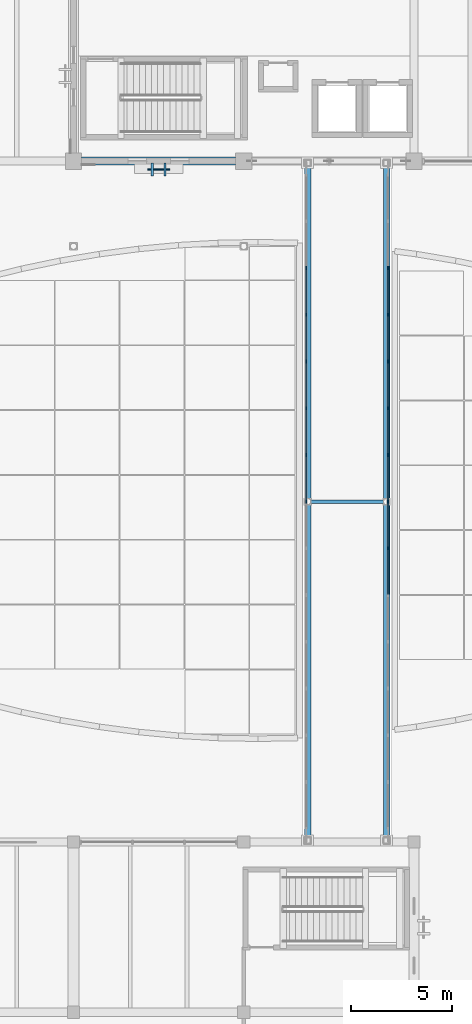
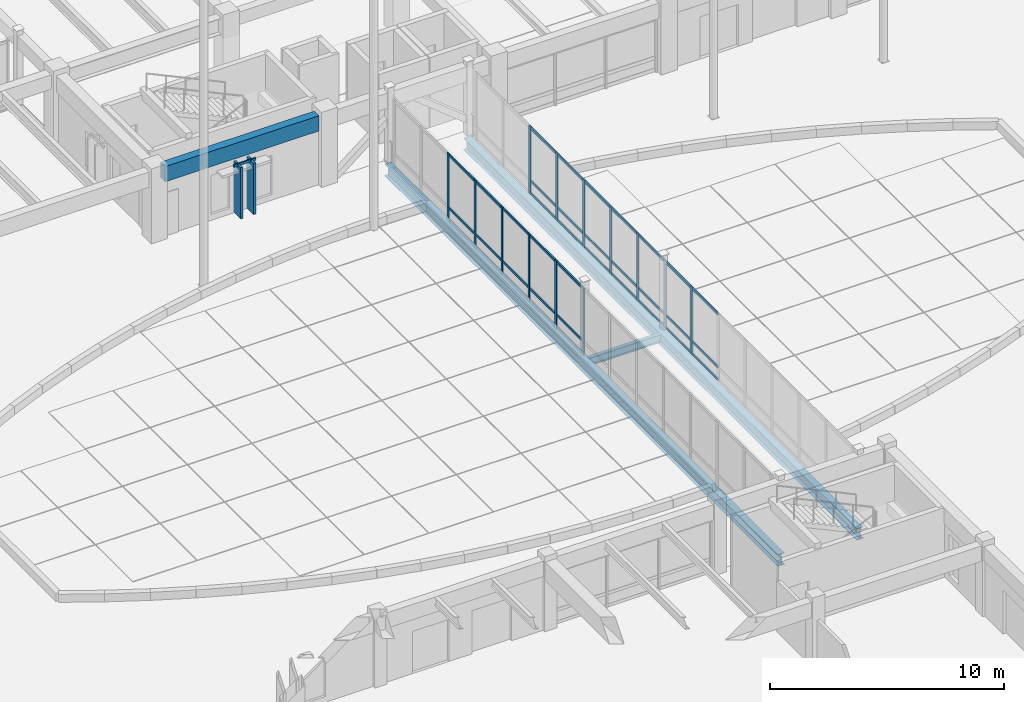
# One storey, part 44 of 135: 52 members, 4 beams, 3 elements without a shape of their own.
"""IFC4 building model written with IfcOpenShell, lengths in metres."""

import ifcopenshell
import ifcopenshell.guid

model = None  # the IFC model being written
_history = None  # IfcOwnerHistory: only IFC2X3 demands one
_inside = {}  # id of a spatial element -> (the spatial element, [elements in it])
_under = {}  # id of a project, library or spatial element -> (it, [spatial elements below it])
_declared = {}  # id of a project -> (the project, [libraries it declares])
_typed = {}  # id of a type object -> (the type object, [elements of that type])
_made_of = {}  # id of a material, layer set ... -> (it, [elements and type objects made of it])


def new_model(schema):
    """Start an empty IFC model of exactly this schema.

    Asked for "IFC4X3", IfcOpenShell would pick the latest addendum, in which some entities
    have other attributes; the version numbers below select the first issue.
    IFC2X3 requires an IfcOwnerHistory on every rooted entity: one is made here for all.
    """
    global model, _history
    if schema == "IFC4X3":
        model = ifcopenshell.file(schema_version=(4, 3, 0, 0))
    else:
        model = ifcopenshell.file(schema=schema)
    _inside.clear()
    _under.clear()
    _declared.clear()
    _typed.clear()
    _made_of.clear()
    _history = None
    if model.schema == "IFC2X3":
        org = make("IfcOrganization", Name="unknown")
        user = make(
            "IfcPersonAndOrganization",
            ThePerson=make("IfcPerson", FamilyName="unknown"),
            TheOrganization=org,
        )
        app = make(
            "IfcApplication",
            ApplicationDeveloper=org,
            Version="unknown",
            ApplicationFullName="unknown",
            ApplicationIdentifier="unknown",
        )
        _history = make(
            "IfcOwnerHistory",
            OwningUser=user,
            OwningApplication=app,
            ChangeAction="ADDED",
            CreationDate=0,
        )
    return model


def make(cls, **values):
    """One entity of the class cls with the attributes given. An attribute that is None is left unset."""
    return model.create_entity(
        cls, **{name: value for name, value in values.items() if value is not None}
    )


def rooted(cls, **values):
    """An entity with a GlobalId (a new one), such as an element, a storey or a relation."""
    return make(cls, GlobalId=ifcopenshell.guid.new(), OwnerHistory=_history, **values)


def si_unit(unit_type, name, prefix=None):
    """IfcSIUnit, for example si_unit("LENGTHUNIT", "METRE", prefix="MILLI")."""
    return make("IfcSIUnit", UnitType=unit_type, Prefix=prefix, Name=name)


def assignment(units):
    """IfcUnitAssignment: the units of a project."""
    return None if units is None else make("IfcUnitAssignment", Units=units)


def point(xyz):
    """IfcCartesianPoint."""
    return None if xyz is None else make("IfcCartesianPoint", Coordinates=xyz)


def direction(xyz):
    """IfcDirection."""
    return None if xyz is None else make("IfcDirection", DirectionRatios=xyz)


def frame(location, z_axis=None, x_axis=None):
    """IfcAxis2Placement3D, a coordinate frame: its origin and axes. An axis left out is left unset."""
    return make(
        "IfcAxis2Placement3D",
        Location=point(location),
        Axis=direction(z_axis),
        RefDirection=direction(x_axis),
    )


def frame_2d(location, x_axis=None):
    """IfcAxis2Placement2D, a coordinate frame in the plane: its origin and x axis."""
    return make(
        "IfcAxis2Placement2D", Location=point(location), RefDirection=direction(x_axis)
    )


def origin():
    """The frame at (0, 0, 0) with its axes left unset."""
    return frame((0.0, 0.0, 0.0))


def origin_2d():
    """The frame at (0, 0) in the plane with its x axis left unset."""
    return frame_2d((0.0, 0.0))


def place(relative_to, where):
    """IfcLocalPlacement: puts the frame where relative to a parent placement (None: the world)."""
    return make(
        "IfcLocalPlacement", PlacementRelTo=relative_to, RelativePlacement=where
    )


def context(
    kind, dimensions, precision=None, world=None, true_north=None, identifier=None
):
    """IfcGeometricRepresentationContext, for example the 3D "Model" context."""
    return make(
        "IfcGeometricRepresentationContext",
        ContextIdentifier=identifier,
        ContextType=kind,
        CoordinateSpaceDimension=dimensions,
        Precision=precision,
        WorldCoordinateSystem=world,
        TrueNorth=true_north,
    )


def subcontext(parent, identifier, kind, view, scale=None):
    """IfcGeometricRepresentationSubContext, for example "Body" below "Model"."""
    return make(
        "IfcGeometricRepresentationSubContext",
        ContextIdentifier=identifier,
        ContextType=kind,
        ParentContext=parent,
        TargetScale=scale,
        TargetView=view,
    )


def project(units=None, contexts=None):
    """IfcProject with its units and contexts."""
    return rooted(
        "IfcProject",
        Name="project",
        RepresentationContexts=contexts,
        UnitsInContext=assignment(units),
    )


def spatial(cls, under=None, at=None, **own):
    """A site, building, storey or space (cls), placed at a placement, below another one or the project."""
    s = rooted(cls, ObjectPlacement=at, **own)
    if under is not None:
        _under.setdefault(under.id(), (under, []))[1].append(s)
    return s


def profile(cls, at=None, kind="AREA", **sizes):
    """A parametric profile (cls). Its sizes go by their IFC names, for example OverallWidth=200.0."""
    return make(cls, ProfileType=kind, Position=at, **sizes)


def rectangle(**sizes):
    """IfcRectangleProfileDef."""
    return profile("IfcRectangleProfileDef", **sizes)


def i_section(**sizes):
    """IfcIShapeProfileDef."""
    return profile("IfcIShapeProfileDef", **sizes)


def extrude(swept, where, along, depth):
    """IfcExtrudedAreaSolid: the profile swept, set in the frame where, extruded along a direction by depth."""
    return make(
        "IfcExtrudedAreaSolid",
        SweptArea=swept,
        Position=where,
        ExtrudedDirection=direction(along),
        Depth=depth,
    )


def shape(context_of_items, identifier, shape_type, items):
    """IfcShapeRepresentation: the items that make up one representation, for example the "Body"."""
    return make(
        "IfcShapeRepresentation",
        ContextOfItems=context_of_items,
        RepresentationIdentifier=identifier,
        RepresentationType=shape_type,
        Items=items,
    )


def material(Name=None, Category=None):
    """IfcMaterial."""
    return make("IfcMaterial", Name=Name, Category=Category)


def material_profile(
    of_material, cross_section, Name=None, Category=None, Priority=None
):
    """IfcMaterialProfile: a cross section and its material."""
    return make(
        "IfcMaterialProfile",
        Name=Name,
        Material=of_material,
        Profile=cross_section,
        Priority=Priority,
        Category=Category,
    )


def profile_set(profiles, Name=None, composite=None):
    """IfcMaterialProfileSet."""
    return make(
        "IfcMaterialProfileSet",
        Name=Name,
        MaterialProfiles=profiles,
        CompositeProfile=composite,
    )


def made_of(thing, what):
    """Note that an element or type object is made of a material, layer set ...; save() writes the relation."""
    if what is not None:
        _made_of.setdefault(what.id(), (what, []))[1].append(thing)
    return thing


def type_object(cls, material=None, **own):
    """A type object (cls), such as IfcWallType, which elements share."""
    return made_of(rooted(cls, **own), material)


def element(
    cls,
    number,
    at=None,
    inside=None,
    cuts=None,
    type_object=None,
    material=None,
    context=None,
    identifier="Body",
    shape_type=None,
    held_by="IfcProductDefinitionShape",
    body=None,
    shapes=None,
    **own,
):
    """One element of the class cls, such as IfcWall. Its Tag is "e" and its number.

    at: its placement. inside: the storey or other place that contains it. cuts: it is an
    opening in that element (IfcRelVoidsElement). A single representation is given by context,
    identifier, shape_type and body (its items); several are given by shapes. held_by: the class
    of the entity that holds the representations. save() writes the other relations.
    """
    e = rooted(cls, Tag="e%d" % number, ObjectPlacement=at, **own)
    if body is not None:
        shapes = [shape(context, identifier, shape_type, body)]
    if shapes is not None:
        e.Representation = make(held_by, Representations=shapes)
    if inside is not None:
        _inside.setdefault(inside.id(), (inside, []))[1].append(e)
    if cuts is not None:
        rooted(
            "IfcRelVoidsElement", RelatingBuildingElement=cuts, RelatedOpeningElement=e
        )
    if type_object is not None:
        _typed.setdefault(type_object.id(), (type_object, []))[1].append(e)
    return made_of(e, material)


def aggregate(whole, parts):
    """IfcRelAggregates: a whole, such as a stair, and the parts it consists of."""
    return rooted("IfcRelAggregates", RelatingObject=whole, RelatedObjects=parts)


def save(model, path):
    """Write the relations noted so far, then the file.

    IfcRelAggregates (storeys below a building ...), IfcRelContainedInSpatialStructure (elements
    in a storey), IfcRelDefinesByType, IfcRelAssociatesMaterial and IfcRelDeclares: one each for
    every whole, place, type object, material and project.
    """
    for whole, parts in _under.values():
        aggregate(whole, parts)
    for where, things in _inside.values():
        rooted(
            "IfcRelContainedInSpatialStructure",
            RelatedElements=things,
            RelatingStructure=where,
        )
    for kind, things in _typed.values():
        rooted("IfcRelDefinesByType", RelatedObjects=things, RelatingType=kind)
    for what, things in _made_of.values():
        rooted("IfcRelAssociatesMaterial", RelatedObjects=things, RelatingMaterial=what)
    for by, libraries in _declared.values():
        rooted("IfcRelDeclares", RelatingContext=by, RelatedDefinitions=libraries)
    model.write(path)


model = new_model("IFC4")

# Units and contexts
model_context = context("Model", 3, precision=1e-05, world=origin(), true_north=direction((0.0, 1.0)))
body_context = subcontext(model_context, "Body", "Model", "MODEL_VIEW")
ifc_project = project(units=[si_unit("LENGTHUNIT", "METRE"), si_unit("AREAUNIT", "SQUARE_METRE"), si_unit("VOLUMEUNIT", "CUBIC_METRE"), si_unit("PLANEANGLEUNIT", "RADIAN"), si_unit("MASSUNIT", "GRAM", prefix="KILO")], contexts=[model_context])

# Site, building, storey
site_placement = place(None, origin())
site = spatial("IfcSite", under=ifc_project, at=site_placement, CompositionType="ELEMENT")
building_placement = place(site_placement, origin())
building = spatial("IfcBuilding", under=site, at=building_placement, Name="Cumbredor Promenade Congress Hotel", CompositionType="ELEMENT")
storey_placement = place(building_placement, origin())
storey = spatial("IfcBuildingStorey", under=building, at=storey_placement, Name="L00", CompositionType="ELEMENT", Elevation=0.0)

# Beams
ifc_material_1 = material(Name="Steel ASTM A992 Grade 50", Category="steel")
ifc_material_profile_1 = material_profile(ifc_material_1, i_section(OverallWidth=0.323974609375, OverallDepth=0.611083984375, WebThickness=0.0126953125, FlangeThickness=0.01904296875, at=origin_2d()), Name="W24X104")
ifc_profile_set_1 = profile_set([ifc_material_profile_1], Name="Steel ASTM A992 Grade 50")
beam_type_1 = type_object("IfcBeamType", Name="BM-W24X104", PredefinedType="BEAM", material=ifc_profile_set_1)
for number, where, z_axis, x_axis, name in (
    (1, (103.949951171875, 50.360107421875, -0.525390625), (0.0, 1.0, 0.0), (-1.0, 0.0, 0.0), "L00 Central Reflecting-Pool Promenade Bridge Edge Girder 1"),
    (2, (107.85009765625, 50.360107421875, -0.525390625), (0.0, 1.0, 0.0), (-1.0, 0.0, 0.0), "L00 Central Reflecting-Pool Promenade Bridge Edge Girder 2"),
):
    element("IfcBeam", number, at=place(storey_placement, frame(where, z_axis=z_axis, x_axis=x_axis)), inside=storey, type_object=beam_type_1, Name=name, PredefinedType="BEAM", context=body_context, shape_type="SweptSolid", body=[
        extrude(i_section(OverallWidth=0.323974609375, OverallDepth=0.611083984375, WebThickness=0.0126953125, FlangeThickness=0.01904296875, at=origin_2d()), origin(), (0.0, 0.0, 1.0), 33.679931640625),
    ])

# Curtain wall, members
ifc_material_2 = material(Name="Thermally broken anodized aluminium and low-E glass", Category="aluminium")
curtain_wall_type_1 = type_object("IfcCurtainWallType", Name="Unitised Bridge Glazing Screen CW-05", PredefinedType="NOTDEFINED", material=ifc_material_2)
curtain_wall_1_placement = place(storey_placement, origin())
curtain_wall_1 = element("IfcCurtainWall", 3, at=curtain_wall_1_placement, inside=storey, type_object=curtain_wall_type_1, Name="L00 Central Reflecting-Pool Promenade Bridge West Glazing Screen", PredefinedType="NOTDEFINED")
ifc_material_3 = material(Name="Thermally broken anodized aluminium", Category="aluminium")
ifc_material_profile_2 = material_profile(ifc_material_3, rectangle(XDim=0.06494140625, YDim=0.159912109375, at=origin_2d()), Name="ALU MULLION 65x160")
ifc_profile_set_2 = profile_set([ifc_material_profile_2], Name="Thermally broken anodized aluminium")
member_type_1 = type_object("IfcMemberType", Name="Curtain Wall Mullion ML-01", PredefinedType="MULLION", material=ifc_profile_set_2)
member_1_placement = place(storey_placement, frame((103.8798828125, 67.199951171875, -0.008056640625), z_axis=(0.0, 0.0, 1.0), x_axis=(1.0, 0.0, 0.0)))
member_1 = element("IfcMember", 4, at=member_1_placement, type_object=member_type_1, Name="L00 Central Reflecting-Pool Promenade Bridge West Glazing Screen Mullion 8", PredefinedType="MULLION", context=body_context, shape_type="SweptSolid", body=[
    extrude(rectangle(XDim=0.06494140625, YDim=0.159912109375, at=origin_2d()), origin(), (0.0, 0.0, 1.0), 3.55615234375),
])
member_2_placement = place(storey_placement, frame((103.8798828125, 69.505615234375, -0.008056640625), z_axis=(0.0, 0.0, 1.0), x_axis=(1.0, 0.0, 0.0)))
member_2 = element("IfcMember", 5, at=member_2_placement, type_object=member_type_1, Name="L00 Central Reflecting-Pool Promenade Bridge West Glazing Screen Mullion 9", PredefinedType="MULLION", context=body_context, shape_type="SweptSolid", body=[
    extrude(rectangle(XDim=0.06494140625, YDim=0.159912109375, at=origin_2d()), origin(), (0.0, 0.0, 1.0), 3.55615234375),
])
member_3_placement = place(storey_placement, frame((103.8798828125, 71.811279296875, -0.008056640625), z_axis=(0.0, 0.0, 1.0), x_axis=(1.0, 0.0, 0.0)))
member_3 = element("IfcMember", 6, at=member_3_placement, type_object=member_type_1, Name="L00 Central Reflecting-Pool Promenade Bridge West Glazing Screen Mullion 10", PredefinedType="MULLION", context=body_context, shape_type="SweptSolid", body=[
    extrude(rectangle(XDim=0.06494140625, YDim=0.159912109375, at=origin_2d()), origin(), (0.0, 0.0, 1.0), 3.55615234375),
])
member_4_placement = place(storey_placement, frame((103.8798828125, 74.1171875, -0.008056640625), z_axis=(0.0, 0.0, 1.0), x_axis=(1.0, 0.0, 0.0)))
member_4 = element("IfcMember", 7, at=member_4_placement, type_object=member_type_1, Name="L00 Central Reflecting-Pool Promenade Bridge West Glazing Screen Mullion 11", PredefinedType="MULLION", context=body_context, shape_type="SweptSolid", body=[
    extrude(rectangle(XDim=0.06494140625, YDim=0.159912109375, at=origin_2d()), origin(), (0.0, 0.0, 1.0), 3.55615234375),
])
member_5_placement = place(storey_placement, frame((103.8798828125, 76.4228515625, -0.008056640625), z_axis=(0.0, 0.0, 1.0), x_axis=(1.0, 0.0, 0.0)))
member_5 = element("IfcMember", 8, at=member_5_placement, type_object=member_type_1, Name="L00 Central Reflecting-Pool Promenade Bridge West Glazing Screen Mullion 12", PredefinedType="MULLION", context=body_context, shape_type="SweptSolid", body=[
    extrude(rectangle(XDim=0.06494140625, YDim=0.159912109375, at=origin_2d()), origin(), (0.0, 0.0, 1.0), 3.55615234375),
])
member_6_placement = place(storey_placement, frame((103.8798828125, 78.728515625, -0.008056640625), z_axis=(0.0, 0.0, 1.0), x_axis=(1.0, 0.0, 0.0)))
member_6 = element("IfcMember", 9, at=member_6_placement, type_object=member_type_1, Name="L00 Central Reflecting-Pool Promenade Bridge West Glazing Screen Mullion 13", PredefinedType="MULLION", context=body_context, shape_type="SweptSolid", body=[
    extrude(rectangle(XDim=0.06494140625, YDim=0.159912109375, at=origin_2d()), origin(), (0.0, 0.0, 1.0), 3.55615234375),
])

curtain_wall_2_placement = place(storey_placement, origin())
curtain_wall_2 = element("IfcCurtainWall", 10, at=curtain_wall_2_placement, inside=storey, type_object=curtain_wall_type_1, Name="L00 Central Reflecting-Pool Promenade Bridge East Glazing Screen", PredefinedType="NOTDEFINED")
member_7_placement = place(storey_placement, frame((107.919921875, 64.894287109375, -0.008056640625), z_axis=(0.0, 0.0, 1.0), x_axis=(1.0, 0.0, 0.0)))
member_7 = element("IfcMember", 11, at=member_7_placement, type_object=member_type_1, Name="L00 Central Reflecting-Pool Promenade Bridge East Glazing Screen Mullion 7", PredefinedType="MULLION", context=body_context, shape_type="SweptSolid", body=[
    extrude(rectangle(XDim=0.06494140625, YDim=0.159912109375, at=origin_2d()), origin(), (0.0, 0.0, 1.0), 3.55615234375),
])
member_8_placement = place(storey_placement, frame((107.919921875, 67.199951171875, -0.008056640625), z_axis=(0.0, 0.0, 1.0), x_axis=(1.0, 0.0, 0.0)))
member_8 = element("IfcMember", 12, at=member_8_placement, type_object=member_type_1, Name="L00 Central Reflecting-Pool Promenade Bridge East Glazing Screen Mullion 8", PredefinedType="MULLION", context=body_context, shape_type="SweptSolid", body=[
    extrude(rectangle(XDim=0.06494140625, YDim=0.159912109375, at=origin_2d()), origin(), (0.0, 0.0, 1.0), 3.55615234375),
])
member_9_placement = place(storey_placement, frame((107.919921875, 69.505615234375, -0.008056640625), z_axis=(0.0, 0.0, 1.0), x_axis=(1.0, 0.0, 0.0)))
member_9 = element("IfcMember", 13, at=member_9_placement, type_object=member_type_1, Name="L00 Central Reflecting-Pool Promenade Bridge East Glazing Screen Mullion 9", PredefinedType="MULLION", context=body_context, shape_type="SweptSolid", body=[
    extrude(rectangle(XDim=0.06494140625, YDim=0.159912109375, at=origin_2d()), origin(), (0.0, 0.0, 1.0), 3.55615234375),
])
member_10_placement = place(storey_placement, frame((107.919921875, 71.811279296875, -0.008056640625), z_axis=(0.0, 0.0, 1.0), x_axis=(1.0, 0.0, 0.0)))
member_10 = element("IfcMember", 14, at=member_10_placement, type_object=member_type_1, Name="L00 Central Reflecting-Pool Promenade Bridge East Glazing Screen Mullion 10", PredefinedType="MULLION", context=body_context, shape_type="SweptSolid", body=[
    extrude(rectangle(XDim=0.06494140625, YDim=0.159912109375, at=origin_2d()), origin(), (0.0, 0.0, 1.0), 3.55615234375),
])
member_11_placement = place(storey_placement, frame((107.919921875, 74.1171875, -0.008056640625), z_axis=(0.0, 0.0, 1.0), x_axis=(1.0, 0.0, 0.0)))
member_11 = element("IfcMember", 15, at=member_11_placement, type_object=member_type_1, Name="L00 Central Reflecting-Pool Promenade Bridge East Glazing Screen Mullion 11", PredefinedType="MULLION", context=body_context, shape_type="SweptSolid", body=[
    extrude(rectangle(XDim=0.06494140625, YDim=0.159912109375, at=origin_2d()), origin(), (0.0, 0.0, 1.0), 3.55615234375),
])
member_12_placement = place(storey_placement, frame((107.919921875, 76.4228515625, -0.008056640625), z_axis=(0.0, 0.0, 1.0), x_axis=(1.0, 0.0, 0.0)))
member_12 = element("IfcMember", 16, at=member_12_placement, type_object=member_type_1, Name="L00 Central Reflecting-Pool Promenade Bridge East Glazing Screen Mullion 12", PredefinedType="MULLION", context=body_context, shape_type="SweptSolid", body=[
    extrude(rectangle(XDim=0.06494140625, YDim=0.159912109375, at=origin_2d()), origin(), (0.0, 0.0, 1.0), 3.55615234375),
])
member_13_placement = place(storey_placement, frame((107.919921875, 78.728515625, -0.008056640625), z_axis=(0.0, 0.0, 1.0), x_axis=(1.0, 0.0, 0.0)))
member_13 = element("IfcMember", 17, at=member_13_placement, type_object=member_type_1, Name="L00 Central Reflecting-Pool Promenade Bridge East Glazing Screen Mullion 13", PredefinedType="MULLION", context=body_context, shape_type="SweptSolid", body=[
    extrude(rectangle(XDim=0.06494140625, YDim=0.159912109375, at=origin_2d()), origin(), (0.0, 0.0, 1.0), 3.55615234375),
])

# Curtain wall, member
curtain_wall_type_2 = type_object("IfcCurtainWallType", Name="Solar Brise-Soleil Screen Assembly CW-07", PredefinedType="NOTDEFINED", material=ifc_material_2)
curtain_wall_3_placement = place(storey_placement, origin())
curtain_wall_3 = element("IfcCurtainWall", 18, at=curtain_wall_3_placement, inside=storey, type_object=curtain_wall_type_2, Name="L00 Pier Brise-Soleil Screen 0055", PredefinedType="NOTDEFINED")
ifc_material_profile_3 = material_profile(ifc_material_3, rectangle(XDim=0.06494140625, YDim=0.1298828125, at=origin_2d()), Name="ALU TRANSOM 65x130")
ifc_profile_set_3 = profile_set([ifc_material_profile_3], Name="Thermally broken anodized aluminium")
member_type_2 = type_object("IfcMemberType", Name="Curtain Wall Transom TR-01", PredefinedType="USERDEFINED", material=ifc_profile_set_3)
member_14_placement = place(storey_placement, frame((96.050048828125, 83.590087890625, 2.6650390625), z_axis=(1.0, 0.0, 0.0), x_axis=(0.0, 1.0, 0.0)))
member_14 = element("IfcMember", 19, at=member_14_placement, type_object=member_type_2, Name="L00 Pier Brise-Soleil Header 0057", ObjectType="TRANSOM", PredefinedType="USERDEFINED", context=body_context, shape_type="SweptSolid", body=[
    extrude(rectangle(XDim=0.06494140625, YDim=0.1298828125, at=origin_2d()), origin(), (0.0, 0.0, 1.0), 1.099853515625),
])

# Member
member_15_placement = place(storey_placement, frame((103.8798828125, 67.232421875, 0.070068359375), z_axis=(0.0, 1.0, 0.0), x_axis=(-1.0, 0.0, 0.0)))
member_15 = element("IfcMember", 20, at=member_15_placement, type_object=member_type_2, Name="L00 Central Reflecting-Pool Promenade Bridge West Glazing Screen Transom 8.1", ObjectType="TRANSOM", PredefinedType="USERDEFINED", context=body_context, shape_type="SweptSolid", body=[
    extrude(rectangle(XDim=0.06494140625, YDim=0.1298828125, at=origin_2d()), origin(), (0.0, 0.0, 1.0), 2.24072265625),
])

member_16_placement = place(storey_placement, frame((103.8798828125, 67.232421875, 0.719970703125), z_axis=(0.0, 1.0, 0.0), x_axis=(-1.0, 0.0, 0.0)))
member_16 = element("IfcMember", 21, at=member_16_placement, type_object=member_type_2, Name="L00 Central Reflecting-Pool Promenade Bridge West Glazing Screen Transom 8.2", ObjectType="TRANSOM", PredefinedType="USERDEFINED", context=body_context, shape_type="SweptSolid", body=[
    extrude(rectangle(XDim=0.06494140625, YDim=0.1298828125, at=origin_2d()), origin(), (0.0, 0.0, 1.0), 2.24072265625),
])

member_17_placement = place(storey_placement, frame((103.8798828125, 67.232421875, 3.47998046875), z_axis=(0.0, 1.0, 0.0), x_axis=(-1.0, 0.0, 0.0)))
member_17 = element("IfcMember", 22, at=member_17_placement, type_object=member_type_2, Name="L00 Central Reflecting-Pool Promenade Bridge West Glazing Screen Transom 8.3", ObjectType="TRANSOM", PredefinedType="USERDEFINED", context=body_context, shape_type="SweptSolid", body=[
    extrude(rectangle(XDim=0.06494140625, YDim=0.1298828125, at=origin_2d()), origin(), (0.0, 0.0, 1.0), 2.24072265625),
])

member_18_placement = place(storey_placement, frame((103.8798828125, 69.5380859375, 0.070068359375), z_axis=(0.0, 1.0, 0.0), x_axis=(-1.0, 0.0, 0.0)))
member_18 = element("IfcMember", 23, at=member_18_placement, type_object=member_type_2, Name="L00 Central Reflecting-Pool Promenade Bridge West Glazing Screen Transom 9.1", ObjectType="TRANSOM", PredefinedType="USERDEFINED", context=body_context, shape_type="SweptSolid", body=[
    extrude(rectangle(XDim=0.06494140625, YDim=0.1298828125, at=origin_2d()), origin(), (0.0, 0.0, 1.0), 2.24072265625),
])

member_19_placement = place(storey_placement, frame((103.8798828125, 69.5380859375, 0.719970703125), z_axis=(0.0, 1.0, 0.0), x_axis=(-1.0, 0.0, 0.0)))
member_19 = element("IfcMember", 24, at=member_19_placement, type_object=member_type_2, Name="L00 Central Reflecting-Pool Promenade Bridge West Glazing Screen Transom 9.2", ObjectType="TRANSOM", PredefinedType="USERDEFINED", context=body_context, shape_type="SweptSolid", body=[
    extrude(rectangle(XDim=0.06494140625, YDim=0.1298828125, at=origin_2d()), origin(), (0.0, 0.0, 1.0), 2.24072265625),
])

member_20_placement = place(storey_placement, frame((103.8798828125, 69.5380859375, 3.47998046875), z_axis=(0.0, 1.0, 0.0), x_axis=(-1.0, 0.0, 0.0)))
member_20 = element("IfcMember", 25, at=member_20_placement, type_object=member_type_2, Name="L00 Central Reflecting-Pool Promenade Bridge West Glazing Screen Transom 9.3", ObjectType="TRANSOM", PredefinedType="USERDEFINED", context=body_context, shape_type="SweptSolid", body=[
    extrude(rectangle(XDim=0.06494140625, YDim=0.1298828125, at=origin_2d()), origin(), (0.0, 0.0, 1.0), 2.24072265625),
])

member_21_placement = place(storey_placement, frame((103.8798828125, 71.843994140625, 0.070068359375), z_axis=(0.0, 1.0, 0.0), x_axis=(-1.0, 0.0, 0.0)))
member_21 = element("IfcMember", 26, at=member_21_placement, type_object=member_type_2, Name="L00 Central Reflecting-Pool Promenade Bridge West Glazing Screen Transom 10.1", ObjectType="TRANSOM", PredefinedType="USERDEFINED", context=body_context, shape_type="SweptSolid", body=[
    extrude(rectangle(XDim=0.06494140625, YDim=0.1298828125, at=origin_2d()), origin(), (0.0, 0.0, 1.0), 2.24072265625),
])

member_22_placement = place(storey_placement, frame((103.8798828125, 71.843994140625, 0.719970703125), z_axis=(0.0, 1.0, 0.0), x_axis=(-1.0, 0.0, 0.0)))
member_22 = element("IfcMember", 27, at=member_22_placement, type_object=member_type_2, Name="L00 Central Reflecting-Pool Promenade Bridge West Glazing Screen Transom 10.2", ObjectType="TRANSOM", PredefinedType="USERDEFINED", context=body_context, shape_type="SweptSolid", body=[
    extrude(rectangle(XDim=0.06494140625, YDim=0.1298828125, at=origin_2d()), origin(), (0.0, 0.0, 1.0), 2.24072265625),
])

member_23_placement = place(storey_placement, frame((103.8798828125, 71.843994140625, 3.47998046875), z_axis=(0.0, 1.0, 0.0), x_axis=(-1.0, 0.0, 0.0)))
member_23 = element("IfcMember", 28, at=member_23_placement, type_object=member_type_2, Name="L00 Central Reflecting-Pool Promenade Bridge West Glazing Screen Transom 10.3", ObjectType="TRANSOM", PredefinedType="USERDEFINED", context=body_context, shape_type="SweptSolid", body=[
    extrude(rectangle(XDim=0.06494140625, YDim=0.1298828125, at=origin_2d()), origin(), (0.0, 0.0, 1.0), 2.24072265625),
])

member_24_placement = place(storey_placement, frame((103.8798828125, 74.149658203125, 0.070068359375), z_axis=(0.0, 1.0, 0.0), x_axis=(-1.0, 0.0, 0.0)))
member_24 = element("IfcMember", 29, at=member_24_placement, type_object=member_type_2, Name="L00 Central Reflecting-Pool Promenade Bridge West Glazing Screen Transom 11.1", ObjectType="TRANSOM", PredefinedType="USERDEFINED", context=body_context, shape_type="SweptSolid", body=[
    extrude(rectangle(XDim=0.06494140625, YDim=0.1298828125, at=origin_2d()), origin(), (0.0, 0.0, 1.0), 2.24072265625),
])

member_25_placement = place(storey_placement, frame((103.8798828125, 74.149658203125, 0.719970703125), z_axis=(0.0, 1.0, 0.0), x_axis=(-1.0, 0.0, 0.0)))
member_25 = element("IfcMember", 30, at=member_25_placement, type_object=member_type_2, Name="L00 Central Reflecting-Pool Promenade Bridge West Glazing Screen Transom 11.2", ObjectType="TRANSOM", PredefinedType="USERDEFINED", context=body_context, shape_type="SweptSolid", body=[
    extrude(rectangle(XDim=0.06494140625, YDim=0.1298828125, at=origin_2d()), origin(), (0.0, 0.0, 1.0), 2.24072265625),
])

member_26_placement = place(storey_placement, frame((103.8798828125, 74.149658203125, 3.47998046875), z_axis=(0.0, 1.0, 0.0), x_axis=(-1.0, 0.0, 0.0)))
member_26 = element("IfcMember", 31, at=member_26_placement, type_object=member_type_2, Name="L00 Central Reflecting-Pool Promenade Bridge West Glazing Screen Transom 11.3", ObjectType="TRANSOM", PredefinedType="USERDEFINED", context=body_context, shape_type="SweptSolid", body=[
    extrude(rectangle(XDim=0.06494140625, YDim=0.1298828125, at=origin_2d()), origin(), (0.0, 0.0, 1.0), 2.24072265625),
])

member_27_placement = place(storey_placement, frame((103.8798828125, 76.455322265625, 0.070068359375), z_axis=(0.0, 1.0, 0.0), x_axis=(-1.0, 0.0, 0.0)))
member_27 = element("IfcMember", 32, at=member_27_placement, type_object=member_type_2, Name="L00 Central Reflecting-Pool Promenade Bridge West Glazing Screen Transom 12.1", ObjectType="TRANSOM", PredefinedType="USERDEFINED", context=body_context, shape_type="SweptSolid", body=[
    extrude(rectangle(XDim=0.06494140625, YDim=0.1298828125, at=origin_2d()), origin(), (0.0, 0.0, 1.0), 2.24072265625),
])

member_28_placement = place(storey_placement, frame((103.8798828125, 76.455322265625, 0.719970703125), z_axis=(0.0, 1.0, 0.0), x_axis=(-1.0, 0.0, 0.0)))
member_28 = element("IfcMember", 33, at=member_28_placement, type_object=member_type_2, Name="L00 Central Reflecting-Pool Promenade Bridge West Glazing Screen Transom 12.2", ObjectType="TRANSOM", PredefinedType="USERDEFINED", context=body_context, shape_type="SweptSolid", body=[
    extrude(rectangle(XDim=0.06494140625, YDim=0.1298828125, at=origin_2d()), origin(), (0.0, 0.0, 1.0), 2.24072265625),
])

member_29_placement = place(storey_placement, frame((103.8798828125, 76.455322265625, 3.47998046875), z_axis=(0.0, 1.0, 0.0), x_axis=(-1.0, 0.0, 0.0)))
member_29 = element("IfcMember", 34, at=member_29_placement, type_object=member_type_2, Name="L00 Central Reflecting-Pool Promenade Bridge West Glazing Screen Transom 12.3", ObjectType="TRANSOM", PredefinedType="USERDEFINED", context=body_context, shape_type="SweptSolid", body=[
    extrude(rectangle(XDim=0.06494140625, YDim=0.1298828125, at=origin_2d()), origin(), (0.0, 0.0, 1.0), 2.24072265625),
])

aggregate(curtain_wall_1, [member_1, member_2, member_3, member_4, member_5, member_6, member_15, member_16, member_17, member_18, member_19, member_20, member_21, member_22, member_23, member_24, member_25, member_26, member_27, member_28, member_29])

member_30_placement = place(storey_placement, frame((107.919921875, 62.62109375, 0.070068359375), z_axis=(0.0, 1.0, 0.0), x_axis=(-1.0, 0.0, 0.0)))
member_30 = element("IfcMember", 35, at=member_30_placement, type_object=member_type_2, Name="L00 Central Reflecting-Pool Promenade Bridge East Glazing Screen Transom 6.1", ObjectType="TRANSOM", PredefinedType="USERDEFINED", context=body_context, shape_type="SweptSolid", body=[
    extrude(rectangle(XDim=0.06494140625, YDim=0.1298828125, at=origin_2d()), origin(), (0.0, 0.0, 1.0), 2.24072265625),
])

member_31_placement = place(storey_placement, frame((107.919921875, 62.62109375, 0.719970703125), z_axis=(0.0, 1.0, 0.0), x_axis=(-1.0, 0.0, 0.0)))
member_31 = element("IfcMember", 36, at=member_31_placement, type_object=member_type_2, Name="L00 Central Reflecting-Pool Promenade Bridge East Glazing Screen Transom 6.2", ObjectType="TRANSOM", PredefinedType="USERDEFINED", context=body_context, shape_type="SweptSolid", body=[
    extrude(rectangle(XDim=0.06494140625, YDim=0.1298828125, at=origin_2d()), origin(), (0.0, 0.0, 1.0), 2.24072265625),
])

member_32_placement = place(storey_placement, frame((107.919921875, 62.62109375, 3.47998046875), z_axis=(0.0, 1.0, 0.0), x_axis=(-1.0, 0.0, 0.0)))
member_32 = element("IfcMember", 37, at=member_32_placement, type_object=member_type_2, Name="L00 Central Reflecting-Pool Promenade Bridge East Glazing Screen Transom 6.3", ObjectType="TRANSOM", PredefinedType="USERDEFINED", context=body_context, shape_type="SweptSolid", body=[
    extrude(rectangle(XDim=0.06494140625, YDim=0.1298828125, at=origin_2d()), origin(), (0.0, 0.0, 1.0), 2.24072265625),
])

member_33_placement = place(storey_placement, frame((107.919921875, 64.9267578125, 0.070068359375), z_axis=(0.0, 1.0, 0.0), x_axis=(-1.0, 0.0, 0.0)))
member_33 = element("IfcMember", 38, at=member_33_placement, type_object=member_type_2, Name="L00 Central Reflecting-Pool Promenade Bridge East Glazing Screen Transom 7.1", ObjectType="TRANSOM", PredefinedType="USERDEFINED", context=body_context, shape_type="SweptSolid", body=[
    extrude(rectangle(XDim=0.06494140625, YDim=0.1298828125, at=origin_2d()), origin(), (0.0, 0.0, 1.0), 2.24072265625),
])

member_34_placement = place(storey_placement, frame((107.919921875, 64.9267578125, 0.719970703125), z_axis=(0.0, 1.0, 0.0), x_axis=(-1.0, 0.0, 0.0)))
member_34 = element("IfcMember", 39, at=member_34_placement, type_object=member_type_2, Name="L00 Central Reflecting-Pool Promenade Bridge East Glazing Screen Transom 7.2", ObjectType="TRANSOM", PredefinedType="USERDEFINED", context=body_context, shape_type="SweptSolid", body=[
    extrude(rectangle(XDim=0.06494140625, YDim=0.1298828125, at=origin_2d()), origin(), (0.0, 0.0, 1.0), 2.24072265625),
])

member_35_placement = place(storey_placement, frame((107.919921875, 64.9267578125, 3.47998046875), z_axis=(0.0, 1.0, 0.0), x_axis=(-1.0, 0.0, 0.0)))
member_35 = element("IfcMember", 40, at=member_35_placement, type_object=member_type_2, Name="L00 Central Reflecting-Pool Promenade Bridge East Glazing Screen Transom 7.3", ObjectType="TRANSOM", PredefinedType="USERDEFINED", context=body_context, shape_type="SweptSolid", body=[
    extrude(rectangle(XDim=0.06494140625, YDim=0.1298828125, at=origin_2d()), origin(), (0.0, 0.0, 1.0), 2.24072265625),
])

member_36_placement = place(storey_placement, frame((107.919921875, 67.232421875, 0.070068359375), z_axis=(0.0, 1.0, 0.0), x_axis=(-1.0, 0.0, 0.0)))
member_36 = element("IfcMember", 41, at=member_36_placement, type_object=member_type_2, Name="L00 Central Reflecting-Pool Promenade Bridge East Glazing Screen Transom 8.1", ObjectType="TRANSOM", PredefinedType="USERDEFINED", context=body_context, shape_type="SweptSolid", body=[
    extrude(rectangle(XDim=0.06494140625, YDim=0.1298828125, at=origin_2d()), origin(), (0.0, 0.0, 1.0), 2.24072265625),
])

member_37_placement = place(storey_placement, frame((107.919921875, 67.232421875, 0.719970703125), z_axis=(0.0, 1.0, 0.0), x_axis=(-1.0, 0.0, 0.0)))
member_37 = element("IfcMember", 42, at=member_37_placement, type_object=member_type_2, Name="L00 Central Reflecting-Pool Promenade Bridge East Glazing Screen Transom 8.2", ObjectType="TRANSOM", PredefinedType="USERDEFINED", context=body_context, shape_type="SweptSolid", body=[
    extrude(rectangle(XDim=0.06494140625, YDim=0.1298828125, at=origin_2d()), origin(), (0.0, 0.0, 1.0), 2.24072265625),
])

member_38_placement = place(storey_placement, frame((107.919921875, 67.232421875, 3.47998046875), z_axis=(0.0, 1.0, 0.0), x_axis=(-1.0, 0.0, 0.0)))
member_38 = element("IfcMember", 43, at=member_38_placement, type_object=member_type_2, Name="L00 Central Reflecting-Pool Promenade Bridge East Glazing Screen Transom 8.3", ObjectType="TRANSOM", PredefinedType="USERDEFINED", context=body_context, shape_type="SweptSolid", body=[
    extrude(rectangle(XDim=0.06494140625, YDim=0.1298828125, at=origin_2d()), origin(), (0.0, 0.0, 1.0), 2.24072265625),
])

member_39_placement = place(storey_placement, frame((107.919921875, 69.5380859375, 0.070068359375), z_axis=(0.0, 1.0, 0.0), x_axis=(-1.0, 0.0, 0.0)))
member_39 = element("IfcMember", 44, at=member_39_placement, type_object=member_type_2, Name="L00 Central Reflecting-Pool Promenade Bridge East Glazing Screen Transom 9.1", ObjectType="TRANSOM", PredefinedType="USERDEFINED", context=body_context, shape_type="SweptSolid", body=[
    extrude(rectangle(XDim=0.06494140625, YDim=0.1298828125, at=origin_2d()), origin(), (0.0, 0.0, 1.0), 2.24072265625),
])

member_40_placement = place(storey_placement, frame((107.919921875, 69.5380859375, 0.719970703125), z_axis=(0.0, 1.0, 0.0), x_axis=(-1.0, 0.0, 0.0)))
member_40 = element("IfcMember", 45, at=member_40_placement, type_object=member_type_2, Name="L00 Central Reflecting-Pool Promenade Bridge East Glazing Screen Transom 9.2", ObjectType="TRANSOM", PredefinedType="USERDEFINED", context=body_context, shape_type="SweptSolid", body=[
    extrude(rectangle(XDim=0.06494140625, YDim=0.1298828125, at=origin_2d()), origin(), (0.0, 0.0, 1.0), 2.24072265625),
])

member_41_placement = place(storey_placement, frame((107.919921875, 69.5380859375, 3.47998046875), z_axis=(0.0, 1.0, 0.0), x_axis=(-1.0, 0.0, 0.0)))
member_41 = element("IfcMember", 46, at=member_41_placement, type_object=member_type_2, Name="L00 Central Reflecting-Pool Promenade Bridge East Glazing Screen Transom 9.3", ObjectType="TRANSOM", PredefinedType="USERDEFINED", context=body_context, shape_type="SweptSolid", body=[
    extrude(rectangle(XDim=0.06494140625, YDim=0.1298828125, at=origin_2d()), origin(), (0.0, 0.0, 1.0), 2.24072265625),
])

member_42_placement = place(storey_placement, frame((107.919921875, 71.843994140625, 0.070068359375), z_axis=(0.0, 1.0, 0.0), x_axis=(-1.0, 0.0, 0.0)))
member_42 = element("IfcMember", 47, at=member_42_placement, type_object=member_type_2, Name="L00 Central Reflecting-Pool Promenade Bridge East Glazing Screen Transom 10.1", ObjectType="TRANSOM", PredefinedType="USERDEFINED", context=body_context, shape_type="SweptSolid", body=[
    extrude(rectangle(XDim=0.06494140625, YDim=0.1298828125, at=origin_2d()), origin(), (0.0, 0.0, 1.0), 2.24072265625),
])

member_43_placement = place(storey_placement, frame((107.919921875, 71.843994140625, 0.719970703125), z_axis=(0.0, 1.0, 0.0), x_axis=(-1.0, 0.0, 0.0)))
member_43 = element("IfcMember", 48, at=member_43_placement, type_object=member_type_2, Name="L00 Central Reflecting-Pool Promenade Bridge East Glazing Screen Transom 10.2", ObjectType="TRANSOM", PredefinedType="USERDEFINED", context=body_context, shape_type="SweptSolid", body=[
    extrude(rectangle(XDim=0.06494140625, YDim=0.1298828125, at=origin_2d()), origin(), (0.0, 0.0, 1.0), 2.24072265625),
])

member_44_placement = place(storey_placement, frame((107.919921875, 71.843994140625, 3.47998046875), z_axis=(0.0, 1.0, 0.0), x_axis=(-1.0, 0.0, 0.0)))
member_44 = element("IfcMember", 49, at=member_44_placement, type_object=member_type_2, Name="L00 Central Reflecting-Pool Promenade Bridge East Glazing Screen Transom 10.3", ObjectType="TRANSOM", PredefinedType="USERDEFINED", context=body_context, shape_type="SweptSolid", body=[
    extrude(rectangle(XDim=0.06494140625, YDim=0.1298828125, at=origin_2d()), origin(), (0.0, 0.0, 1.0), 2.24072265625),
])

member_45_placement = place(storey_placement, frame((107.919921875, 74.149658203125, 0.070068359375), z_axis=(0.0, 1.0, 0.0), x_axis=(-1.0, 0.0, 0.0)))
member_45 = element("IfcMember", 50, at=member_45_placement, type_object=member_type_2, Name="L00 Central Reflecting-Pool Promenade Bridge East Glazing Screen Transom 11.1", ObjectType="TRANSOM", PredefinedType="USERDEFINED", context=body_context, shape_type="SweptSolid", body=[
    extrude(rectangle(XDim=0.06494140625, YDim=0.1298828125, at=origin_2d()), origin(), (0.0, 0.0, 1.0), 2.24072265625),
])

member_46_placement = place(storey_placement, frame((107.919921875, 74.149658203125, 0.719970703125), z_axis=(0.0, 1.0, 0.0), x_axis=(-1.0, 0.0, 0.0)))
member_46 = element("IfcMember", 51, at=member_46_placement, type_object=member_type_2, Name="L00 Central Reflecting-Pool Promenade Bridge East Glazing Screen Transom 11.2", ObjectType="TRANSOM", PredefinedType="USERDEFINED", context=body_context, shape_type="SweptSolid", body=[
    extrude(rectangle(XDim=0.06494140625, YDim=0.1298828125, at=origin_2d()), origin(), (0.0, 0.0, 1.0), 2.24072265625),
])

member_47_placement = place(storey_placement, frame((107.919921875, 74.149658203125, 3.47998046875), z_axis=(0.0, 1.0, 0.0), x_axis=(-1.0, 0.0, 0.0)))
member_47 = element("IfcMember", 52, at=member_47_placement, type_object=member_type_2, Name="L00 Central Reflecting-Pool Promenade Bridge East Glazing Screen Transom 11.3", ObjectType="TRANSOM", PredefinedType="USERDEFINED", context=body_context, shape_type="SweptSolid", body=[
    extrude(rectangle(XDim=0.06494140625, YDim=0.1298828125, at=origin_2d()), origin(), (0.0, 0.0, 1.0), 2.24072265625),
])

member_48_placement = place(storey_placement, frame((107.919921875, 76.455322265625, 0.070068359375), z_axis=(0.0, 1.0, 0.0), x_axis=(-1.0, 0.0, 0.0)))
member_48 = element("IfcMember", 53, at=member_48_placement, type_object=member_type_2, Name="L00 Central Reflecting-Pool Promenade Bridge East Glazing Screen Transom 12.1", ObjectType="TRANSOM", PredefinedType="USERDEFINED", context=body_context, shape_type="SweptSolid", body=[
    extrude(rectangle(XDim=0.06494140625, YDim=0.1298828125, at=origin_2d()), origin(), (0.0, 0.0, 1.0), 2.24072265625),
])

member_49_placement = place(storey_placement, frame((107.919921875, 76.455322265625, 0.719970703125), z_axis=(0.0, 1.0, 0.0), x_axis=(-1.0, 0.0, 0.0)))
member_49 = element("IfcMember", 54, at=member_49_placement, type_object=member_type_2, Name="L00 Central Reflecting-Pool Promenade Bridge East Glazing Screen Transom 12.2", ObjectType="TRANSOM", PredefinedType="USERDEFINED", context=body_context, shape_type="SweptSolid", body=[
    extrude(rectangle(XDim=0.06494140625, YDim=0.1298828125, at=origin_2d()), origin(), (0.0, 0.0, 1.0), 2.24072265625),
])

member_50_placement = place(storey_placement, frame((107.919921875, 76.455322265625, 3.47998046875), z_axis=(0.0, 1.0, 0.0), x_axis=(-1.0, 0.0, 0.0)))
member_50 = element("IfcMember", 55, at=member_50_placement, type_object=member_type_2, Name="L00 Central Reflecting-Pool Promenade Bridge East Glazing Screen Transom 12.3", ObjectType="TRANSOM", PredefinedType="USERDEFINED", context=body_context, shape_type="SweptSolid", body=[
    extrude(rectangle(XDim=0.06494140625, YDim=0.1298828125, at=origin_2d()), origin(), (0.0, 0.0, 1.0), 2.24072265625),
])

aggregate(curtain_wall_2, [member_7, member_8, member_9, member_10, member_11, member_12, member_13, member_30, member_31, member_32, member_33, member_34, member_35, member_36, member_37, member_38, member_39, member_40, member_41, member_42, member_43, member_44, member_45, member_46, member_47, member_48, member_49, member_50])

# Beams
ifc_material_profile_4 = material_profile(ifc_material_1, i_section(OverallWidth=0.180908203125, OverallDepth=0.4169921875, WebThickness=0.010986328125, FlangeThickness=0.018310546875, at=origin_2d()), Name="W16X57")
ifc_profile_set_4 = profile_set([ifc_material_profile_4], Name="Steel ASTM A992 Grade 50")
beam_type_2 = type_object("IfcBeamType", Name="JST-W16X57", PredefinedType="JOIST", material=ifc_profile_set_4)
beam_1_placement = place(storey_placement, frame((104.10009765625, 67.199951171875, -0.428466796875), z_axis=(1.0, 0.0, 0.0), x_axis=(0.0, 1.0, 0.0)))
element("IfcBeam", 56, at=beam_1_placement, inside=storey, type_object=beam_type_2, Name="L00 Central Reflecting-Pool Promenade Bridge Cross Beam", PredefinedType="JOIST", context=body_context, shape_type="SweptSolid", body=[
    extrude(i_section(OverallWidth=0.180908203125, OverallDepth=0.4169921875, WebThickness=0.010986328125, FlangeThickness=0.018310546875, at=origin_2d()), origin(), (0.0, 0.0, 1.0), 3.599853515625),
])
ifc_material_4 = material(Name="Concrete C40/50", Category="concrete")
ifc_material_profile_5 = material_profile(ifc_material_4, rectangle(XDim=0.39990234375, YDim=0.800048828125, at=origin_2d()), Name="RC SPANDREL 400x800")
ifc_profile_set_5 = profile_set([ifc_material_profile_5], Name="Concrete C40/50")
beam_type_3 = type_object("IfcBeamType", Name="SP-RC-400x800", PredefinedType="SPANDREL", material=ifc_profile_set_5)
beam_2_placement = place(storey_placement, frame((92.800048828125, 84.0, 3.239990234375), z_axis=(1.0, 0.0, 0.0), x_axis=(0.0, 1.0, 0.0)))
element("IfcBeam", 57, at=beam_2_placement, inside=storey, type_object=beam_type_3, Name="L01 X-Grid Beam 167", PredefinedType="SPANDREL", context=body_context, shape_type="SweptSolid", body=[
    extrude(rectangle(XDim=0.39990234375, YDim=0.800048828125, at=origin_2d()), origin(), (0.0, 0.0, 1.0), 7.599853515625),
])

# Member
ifc_material_profile_6 = material_profile(ifc_material_3, rectangle(XDim=0.110107421875, YDim=0.6201171875, at=origin_2d()), Name="ARCH FIN 110x620")
ifc_profile_set_6 = profile_set([ifc_material_profile_6], Name="Thermally broken anodized aluminium")
member_type_3 = type_object("IfcMemberType", Name="Vertical Bronze Brise-Soleil Fin BSF-02 110x620", PredefinedType="USERDEFINED", material=ifc_profile_set_6)
member_51_placement = place(storey_placement, frame((96.280029296875, 83.590087890625, 0.02001953125), z_axis=(0.0, 0.0, 1.0), x_axis=(1.0, 0.0, 0.0)))
member_51 = element("IfcMember", 58, at=member_51_placement, type_object=member_type_3, Name="L00 Pier Brise-Soleil Fin 0056", ObjectType="SOLAR FIN", PredefinedType="USERDEFINED", context=body_context, shape_type="SweptSolid", body=[
    extrude(rectangle(XDim=0.110107421875, YDim=0.6201171875, at=origin_2d()), origin(), (0.0, 0.0, 1.0), 2.68505859375),
])

member_52_placement = place(storey_placement, frame((96.919921875, 83.590087890625, 0.02001953125), z_axis=(0.0, 0.0, 1.0), x_axis=(1.0, 0.0, 0.0)))
member_52 = element("IfcMember", 59, at=member_52_placement, type_object=member_type_3, Name="L00 Pier Brise-Soleil Fin 0057", ObjectType="SOLAR FIN", PredefinedType="USERDEFINED", context=body_context, shape_type="SweptSolid", body=[
    extrude(rectangle(XDim=0.110107421875, YDim=0.6201171875, at=origin_2d()), origin(), (0.0, 0.0, 1.0), 2.68505859375),
])

aggregate(curtain_wall_3, [member_51, member_52, member_14])

save(model, "model.ifc")
